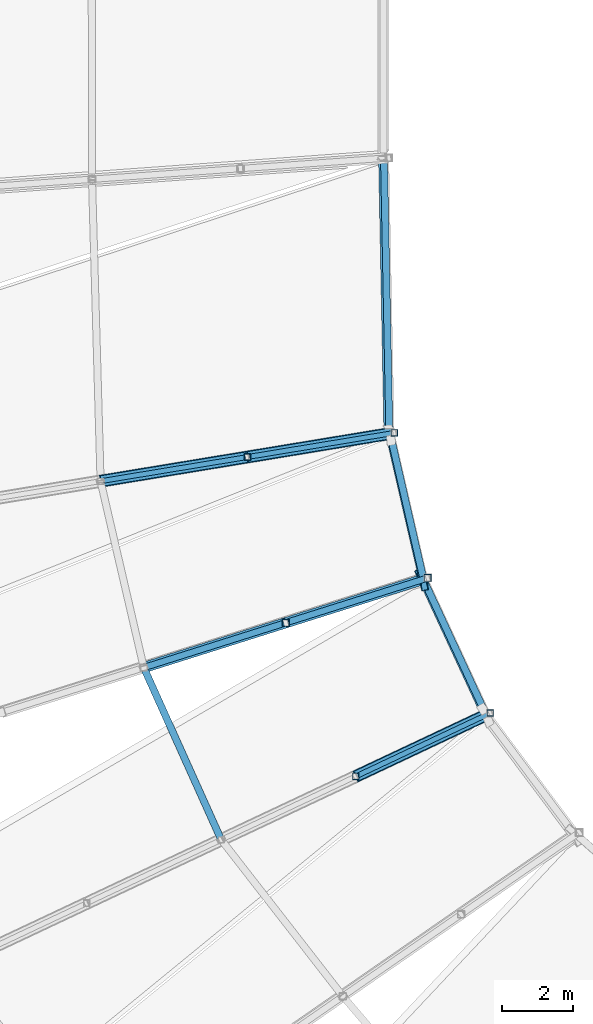
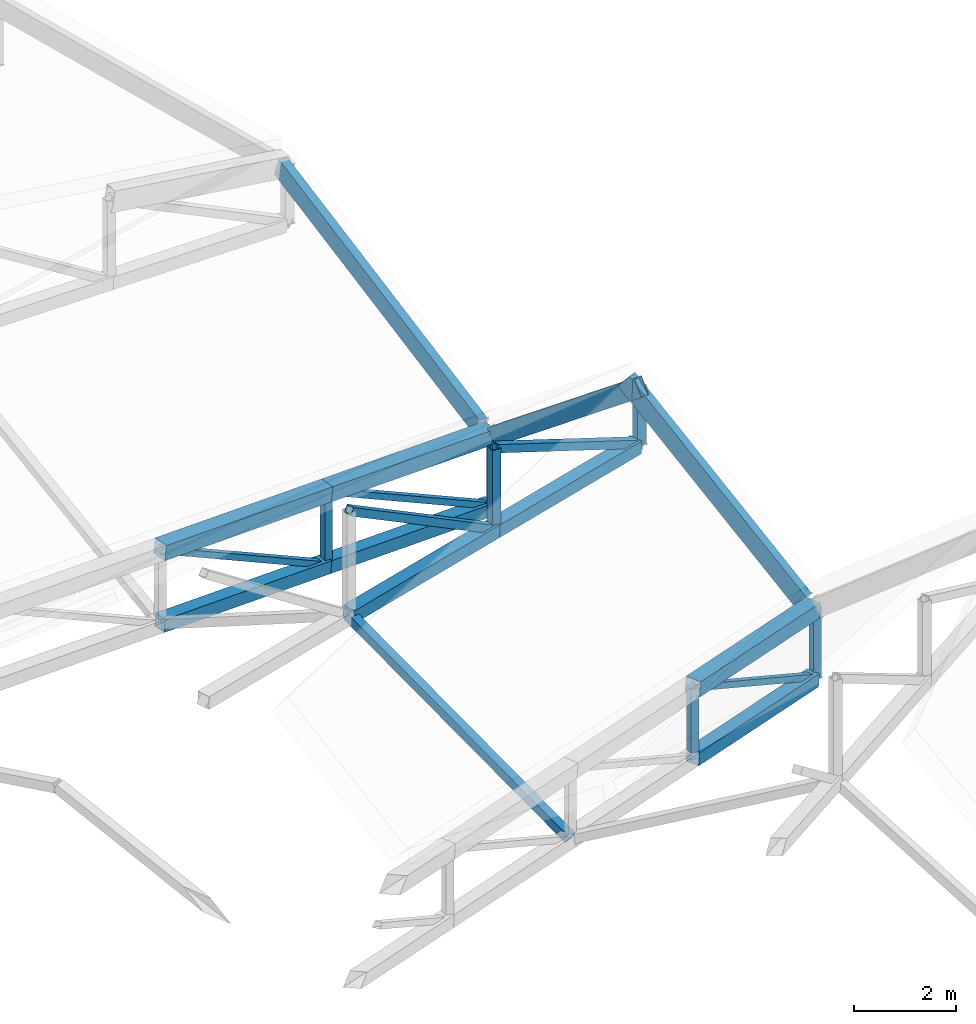
# One storey, part 23 of 344: 20 members, 3 beams.
"""IFC4 building model written with IfcOpenShell, lengths in metres."""

from ifc_helpers import new_model, si_unit, direction, frame, origin, origin_2d, place, context, subcontext, project, spatial, hollow_rectangle, extrude, material, material_profile, profile_set, type_object, element, save


model = new_model("IFC4")

# Units and contexts
model_context = context("Model", 3, precision=1e-05, world=origin(), true_north=direction((0.0, 1.0)))
body_context = subcontext(model_context, "Body", "Model", "MODEL_VIEW")
ifc_project = project(units=[si_unit("LENGTHUNIT", "METRE"), si_unit("AREAUNIT", "SQUARE_METRE"), si_unit("VOLUMEUNIT", "CUBIC_METRE"), si_unit("PLANEANGLEUNIT", "RADIAN"), si_unit("MASSUNIT", "GRAM", prefix="KILO")], contexts=[model_context])

# Site, building, storey
site_placement = place(None, origin())
site = spatial("IfcSite", under=ifc_project, at=site_placement, CompositionType="ELEMENT")
building_placement = place(site_placement, origin())
building = spatial("IfcBuilding", under=site, at=building_placement, Name="Meseta Stadium", CompositionType="ELEMENT")
storey_placement = place(building_placement, frame((0.0, 0.0, 24.0)))
storey = spatial("IfcBuildingStorey", under=building, at=storey_placement, Name="L04", CompositionType="ELEMENT", Elevation=24.0)

# Beams
ifc_material_1 = material(Name="Steel S355", Category="steel")
ifc_material_profile_1 = material_profile(ifc_material_1, hollow_rectangle(XDim=0.199951171875, YDim=0.39990234375, WallThickness=0.01611328125, at=origin_2d()), Name="RHS 400x200x16")
ifc_profile_set_1 = profile_set([ifc_material_profile_1], Name="Steel S355")
beam_type = type_object("IfcBeamType", Name="RHS 400x200x16 tip ring beam", PredefinedType="BEAM", material=ifc_profile_set_1)
beam_1_placement = place(storey_placement, frame((-47.14990234375, -39.860107421875, 6.160888671875), z_axis=(0.019147324398, -0.976043479067, -0.216731416594), x_axis=(0.989643734465, 0.049345951556, -0.134797091584)))
element("IfcBeam", 1, at=beam_1_placement, inside=storey, type_object=beam_type, Name="TIP RING BEAM 37", PredefinedType="BEAM", context=body_context, shape_type="SweptSolid", body=[
    extrude(hollow_rectangle(XDim=0.199951171875, YDim=0.39990234375, WallThickness=0.01611328125, at=origin_2d()), origin(), (0.0, 0.0, 1.0), 7.79052734375),
])
beam_2_placement = place(storey_placement, frame((-46.92138671875, -47.84619140625, 4.44873046875), z_axis=(0.175673366111, -0.764201722706, 0.620592132929), x_axis=(0.982265912363, 0.178022732159, -0.058835229624)))
element("IfcBeam", 2, at=beam_2_placement, inside=storey, type_object=beam_type, Name="TIP RING BEAM 38", PredefinedType="BEAM", context=body_context, shape_type="SweptSolid", body=[
    extrude(hollow_rectangle(XDim=0.199951171875, YDim=0.39990234375, WallThickness=0.01611328125, at=origin_2d()), origin(), (0.0, 0.0, 1.0), 5.406005859375),
])
beam_3_placement = place(storey_placement, frame((-46.106201171875, -51.61474609375, 7.81201171875), z_axis=(0.321336456985, -0.693539828832, -0.644783209487), x_axis=(0.878575786548, 0.472404347775, -0.07027602361)))
element("IfcBeam", 3, at=beam_3_placement, inside=storey, type_object=beam_type, Name="TIP RING BEAM 39", PredefinedType="BEAM", context=body_context, shape_type="SweptSolid", body=[
    extrude(hollow_rectangle(XDim=0.199951171875, YDim=0.39990234375, WallThickness=0.01611328125, at=origin_2d()), origin(), (0.0, 0.0, 1.0), 5.55322265625),
])

# Members
ifc_material_2 = material(Name="Steel S355", Category="steel")
ifc_material_profile_2 = material_profile(ifc_material_2, hollow_rectangle(XDim=0.139892578125, YDim=0.139892578125, WallThickness=0.0048828125, at=origin_2d()), Name="SHS 140x140x5")
ifc_profile_set_2 = profile_set([ifc_material_profile_2], Name="Steel S355")
member_type_1 = type_object("IfcMemberType", Name="SHS 140x140x5 diagonal", PredefinedType="BRACE", material=ifc_profile_set_2)
member_1_placement = place(storey_placement, frame((-46.829345703125, -47.633544921875, 2.634765625), z_axis=(-0.873418924065, -0.143667560495, 0.465294546655), x_axis=(0.162307632911, -0.986740205069, 0.0)))
element("IfcMember", 4, at=member_1_placement, inside=storey, type_object=member_type_1, Name="ROOF TRUSS RT-37 diagonal", PredefinedType="BRACE", context=body_context, shape_type="SweptSolid", body=[
    extrude(hollow_rectangle(XDim=0.139892578125, YDim=0.139892578125, WallThickness=0.0048828125, at=origin_2d()), origin(), (0.0, 0.0, 1.0), 4.77001953125),
])
member_2_placement = place(storey_placement, frame((-50.99560546875, -48.31884765625, 3.097412109375), z_axis=(-0.873398123495, -0.143664139036, 0.465334646283), x_axis=(0.162307632911, -0.986740205069, 0.0)))
element("IfcMember", 5, at=member_2_placement, inside=storey, type_object=member_type_1, Name="ROOF TRUSS RT-37 diagonal", PredefinedType="BRACE", context=body_context, shape_type="SweptSolid", body=[
    extrude(hollow_rectangle(XDim=0.139892578125, YDim=0.139892578125, WallThickness=0.0048828125, at=origin_2d()), origin(), (0.0, 0.0, 1.0), 4.770263671875),
])
member_3_placement = place(storey_placement, frame((-44.108154296875, -55.580810546875, 2.403564453125), z_axis=(-0.804671329976, -0.379086858084, 0.456943327715), x_axis=(0.426181724525, -0.904637572556, 0.0)))
element("IfcMember", 6, at=member_3_placement, inside=storey, type_object=member_type_1, Name="ROOF TRUSS RT-39 diagonal", PredefinedType="BRACE", context=body_context, shape_type="SweptSolid", body=[
    extrude(hollow_rectangle(XDim=0.139892578125, YDim=0.139892578125, WallThickness=0.0048828125, at=origin_2d()), origin(), (0.0, 0.0, 1.0), 4.7412109375),
])
ifc_material_3 = material(Name="Steel S355", Category="steel")
ifc_material_profile_3 = material_profile(ifc_material_3, hollow_rectangle(XDim=0.179931640625, YDim=0.179931640625, WallThickness=0.00634765625, at=origin_2d()), Name="SHS 180x180x6.3")
ifc_profile_set_3 = profile_set([ifc_material_profile_3], Name="Steel S355")
member_type_2 = type_object("IfcMemberType", Name="SHS 180x180x6.3 diagonal", PredefinedType="BRACE", material=ifc_profile_set_3)
member_4_placement = place(storey_placement, frame((-45.883544921875, -51.749267578125, 6.2939453125), z_axis=(-0.856158228989, -0.270330234573, 0.44035741303), x_axis=(0.301095390886, -0.953594025562, 0.0)))
element("IfcMember", 7, at=member_4_placement, inside=storey, type_object=member_type_2, Name="ROOF TRUSS RT-38 diagonal", PredefinedType="BRACE", context=body_context, shape_type="SweptSolid", body=[
    extrude(hollow_rectangle(XDim=0.179931640625, YDim=0.179931640625, WallThickness=0.00634765625, at=origin_2d()), origin(), (0.0, 0.0, 1.0), 4.70263671875),
])
member_5_placement = place(storey_placement, frame((-49.90966796875, -53.0205078125, 6.41650390625), z_axis=(-0.810363530362, -0.255904272746, 0.527090079444), x_axis=(0.301131367937, -0.953582665134, 0.0)))
element("IfcMember", 8, at=member_5_placement, inside=storey, type_object=member_type_2, Name="ROOF TRUSS RT-38 diagonal", PredefinedType="BRACE", context=body_context, shape_type="SweptSolid", body=[
    extrude(hollow_rectangle(XDim=0.179931640625, YDim=0.179931640625, WallThickness=0.00634765625, at=origin_2d()), origin(), (0.0, 0.0, 1.0), 4.968505859375),
])
ifc_material_4 = material(Name="Steel S355", Category="steel")
ifc_material_profile_4 = material_profile(ifc_material_4, hollow_rectangle(XDim=0.179931640625, YDim=0.179931640625, WallThickness=0.00634765625, at=origin_2d()), Name="SHS 180x180x6.3")
ifc_profile_set_4 = profile_set([ifc_material_profile_4], Name="Steel S355")
member_type_3 = type_object("IfcMemberType", Name="SHS 180x180x6.3 post", PredefinedType="POST", material=ifc_profile_set_4)
member_6_placement = place(storey_placement, frame((-50.99560546875, -48.31884765625, 3.097412109375), z_axis=(0.0, 0.0, 1.0), x_axis=(1.0, 0.0, 0.0)))
element("IfcMember", 9, at=member_6_placement, inside=storey, type_object=member_type_3, Name="ROOF TRUSS RT-37 post", PredefinedType="POST", context=body_context, shape_type="SweptSolid", body=[
    extrude(hollow_rectangle(XDim=0.179931640625, YDim=0.179931640625, WallThickness=0.00634765625, at=origin_2d()), origin(), (0.0, 0.0, 1.0), 1.7568359375),
])
member_7_placement = place(storey_placement, frame((-47.92333984375, -57.378173828125, 2.890380859375), z_axis=(0.0, 0.0, 1.0), x_axis=(1.0, 0.0, 0.0)))
element("IfcMember", 10, at=member_7_placement, inside=storey, type_object=member_type_3, Name="ROOF TRUSS RT-39 post", PredefinedType="POST", context=body_context, shape_type="SweptSolid", body=[
    extrude(hollow_rectangle(XDim=0.179931640625, YDim=0.179931640625, WallThickness=0.00634765625, at=origin_2d()), origin(), (0.0, 0.0, 1.0), 1.6796875),
])
ifc_material_5 = material(Name="Steel S355", Category="steel")
ifc_material_profile_5 = material_profile(ifc_material_5, hollow_rectangle(XDim=0.179931640625, YDim=0.179931640625, WallThickness=0.00634765625, at=origin_2d()), Name="SHS 180x180x6.3")
ifc_profile_set_5 = profile_set([ifc_material_profile_5], Name="Steel S355")
member_type_4 = type_object("IfcMemberType", Name="SHS 180x180x6.3 rim post", PredefinedType="POST", material=ifc_profile_set_5)
member_8_placement = place(storey_placement, frame((-46.829345703125, -47.633544921875, 2.634765625), z_axis=(0.0, 0.0, 1.0), x_axis=(1.0, 0.0, 0.0)))
element("IfcMember", 11, at=member_8_placement, inside=storey, type_object=member_type_4, Name="ROOF TRUSS RT-37 post", PredefinedType="POST", context=body_context, shape_type="SweptSolid", body=[
    extrude(hollow_rectangle(XDim=0.179931640625, YDim=0.179931640625, WallThickness=0.00634765625, at=origin_2d()), origin(), (0.0, 0.0, 1.0), 1.7568359375),
])
member_9_placement = place(storey_placement, frame((-44.108154296875, -55.580810546875, 2.403564453125), z_axis=(0.0, 0.0, 1.0), x_axis=(1.0, 0.0, 0.0)))
element("IfcMember", 12, at=member_9_placement, inside=storey, type_object=member_type_4, Name="ROOF TRUSS RT-39 post", PredefinedType="POST", context=body_context, shape_type="SweptSolid", body=[
    extrude(hollow_rectangle(XDim=0.179931640625, YDim=0.179931640625, WallThickness=0.00634765625, at=origin_2d()), origin(), (0.0, 0.0, 1.0), 1.679443359375),
])
ifc_material_6 = material(Name="Steel S355", Category="steel")
ifc_material_profile_6 = material_profile(ifc_material_6, hollow_rectangle(XDim=0.199951171875, YDim=0.199951171875, WallThickness=0.008056640625, at=origin_2d()), Name="SHS 200x200x8")
ifc_profile_set_6 = profile_set([ifc_material_profile_6], Name="Steel S355")
member_type_5 = type_object("IfcMemberType", Name="SHS 200x200x8 post", PredefinedType="POST", material=ifc_profile_set_6)
member_10_placement = place(storey_placement, frame((-49.90966796875, -53.0205078125, 6.41650390625), z_axis=(0.0, 0.0, 1.0), x_axis=(1.0, 0.0, 0.0)))
element("IfcMember", 13, at=member_10_placement, inside=storey, type_object=member_type_5, Name="ROOF TRUSS RT-38 post", PredefinedType="POST", context=body_context, shape_type="SweptSolid", body=[
    extrude(hollow_rectangle(XDim=0.199951171875, YDim=0.199951171875, WallThickness=0.008056640625, at=origin_2d()), origin(), (0.0, 0.0, 1.0), 1.9482421875),
])
ifc_material_7 = material(Name="Steel S355", Category="steel")
ifc_material_profile_7 = material_profile(ifc_material_7, hollow_rectangle(XDim=0.199951171875, YDim=0.199951171875, WallThickness=0.008056640625, at=origin_2d()), Name="SHS 200x200x8")
ifc_profile_set_7 = profile_set([ifc_material_profile_7], Name="Steel S355")
member_type_6 = type_object("IfcMemberType", Name="SHS 200x200x8 rim post", PredefinedType="POST", material=ifc_profile_set_7)
member_11_placement = place(storey_placement, frame((-45.883544921875, -51.749267578125, 6.2939453125), z_axis=(0.0, 0.0, 1.0), x_axis=(1.0, 0.0, 0.0)))
element("IfcMember", 14, at=member_11_placement, inside=storey, type_object=member_type_6, Name="ROOF TRUSS RT-38 post", PredefinedType="POST", context=body_context, shape_type="SweptSolid", body=[
    extrude(hollow_rectangle(XDim=0.199951171875, YDim=0.199951171875, WallThickness=0.008056640625, at=origin_2d()), origin(), (0.0, 0.0, 1.0), 1.39990234375),
])
ifc_material_8 = material(Name="Steel S355", Category="steel")
ifc_material_profile_8 = material_profile(ifc_material_8, hollow_rectangle(XDim=0.199951171875, YDim=0.199951171875, WallThickness=0.008056640625, at=origin_2d()), Name="SHS 200x200x8")
ifc_profile_set_8 = profile_set([ifc_material_profile_8], Name="Steel S355")
member_type_7 = type_object("IfcMemberType", Name="SHS 200x200x8 strut", PredefinedType="STRUT", material=ifc_profile_set_8)
member_12_placement = place(storey_placement, frame((-53.93603515625, -54.2919921875, 6.5390625), z_axis=(0.353367418202, -0.785252205185, -0.508439221545), x_axis=(0.911919799043, 0.410368468712, 0.0)))
element("IfcMember", 15, at=member_12_placement, inside=storey, type_object=member_type_7, Name="ROOF TRUSS STRUT RT-38/39", PredefinedType="STRUT", context=body_context, shape_type="SweptSolid", body=[
    extrude(hollow_rectangle(XDim=0.199951171875, YDim=0.199951171875, WallThickness=0.008056640625, at=origin_2d()), origin(), (0.0, 0.0, 1.0), 6.21875),
])
ifc_material_9 = material(Name="Steel S355", Category="steel")
ifc_material_profile_9 = material_profile(ifc_material_9, hollow_rectangle(XDim=0.300048828125, YDim=0.300048828125, WallThickness=0.010009765625, at=origin_2d()), Name="SHS 300x300x10")
ifc_profile_set_9 = profile_set([ifc_material_profile_9], Name="Steel S355")
member_type_8 = type_object("IfcMemberType", Name="SHS 300x300x10 bottom chord", PredefinedType="CHORD", material=ifc_profile_set_9)
member_13_placement = place(storey_placement, frame((-46.917724609375, -47.64794921875, 2.64453125), z_axis=(-0.980863125606, -0.161372919186, 0.108932592828), x_axis=(0.16233897591, -0.986735048988, 0.0)))
element("IfcMember", 16, at=member_13_placement, inside=storey, type_object=member_type_8, Name="ROOF TRUSS RT-37 bottom chord", PredefinedType="CHORD", context=body_context, shape_type="SweptSolid", body=[
    extrude(hollow_rectangle(XDim=0.300048828125, YDim=0.300048828125, WallThickness=0.010009765625, at=origin_2d()), origin(), (0.0, 0.0, 1.0), 4.157470703125),
])
member_14_placement = place(storey_placement, frame((-50.99560546875, -48.31884765625, 3.097412109375), z_axis=(-0.980863294148, -0.161340947358, 0.108978424008), x_axis=(0.162307632911, -0.986740205069, 0.0)))
element("IfcMember", 17, at=member_14_placement, inside=storey, type_object=member_type_8, Name="ROOF TRUSS RT-37 bottom chord", PredefinedType="CHORD", context=body_context, shape_type="SweptSolid", body=[
    extrude(hollow_rectangle(XDim=0.300048828125, YDim=0.300048828125, WallThickness=0.010009765625, at=origin_2d()), origin(), (0.0, 0.0, 1.0), 4.24755859375),
])
member_15_placement = place(storey_placement, frame((-45.978759765625, -51.779296875, 6.296875), z_axis=(-0.953190315352, -0.300976309748, 0.029008338272), x_axis=(0.301103023052, -0.953591615687, 0.0)))
element("IfcMember", 18, at=member_15_placement, inside=storey, type_object=member_type_8, Name="ROOF TRUSS RT-38 bottom chord", PredefinedType="CHORD", context=body_context, shape_type="SweptSolid", body=[
    extrude(hollow_rectangle(XDim=0.300048828125, YDim=0.300048828125, WallThickness=0.010009765625, at=origin_2d()), origin(), (0.0, 0.0, 1.0), 4.1240234375),
])
member_16_placement = place(storey_placement, frame((-49.90966796875, -53.0205078125, 6.41650390625), z_axis=(-0.95318121509, -0.301004594239, 0.0290138837), x_axis=(0.301131367937, -0.953582665134, 0.0)))
element("IfcMember", 19, at=member_16_placement, inside=storey, type_object=member_type_8, Name="ROOF TRUSS RT-38 bottom chord", PredefinedType="CHORD", context=body_context, shape_type="SweptSolid", body=[
    extrude(hollow_rectangle(XDim=0.300048828125, YDim=0.300048828125, WallThickness=0.010009765625, at=origin_2d()), origin(), (0.0, 0.0, 1.0), 4.22412109375),
])
member_17_placement = place(storey_placement, frame((-44.18896484375, -55.619140625, 2.413818359375), z_axis=(-0.898692597169, -0.423318525275, 0.114686712191), x_axis=(0.42613025615, -0.904661817915, 0.0)))
element("IfcMember", 20, at=member_17_placement, inside=storey, type_object=member_type_8, Name="ROOF TRUSS RT-39 bottom chord", PredefinedType="CHORD", context=body_context, shape_type="SweptSolid", body=[
    extrude(hollow_rectangle(XDim=0.300048828125, YDim=0.300048828125, WallThickness=0.010009765625, at=origin_2d()), origin(), (0.0, 0.0, 1.0), 4.1552734375),
])
ifc_material_10 = material(Name="Steel S355", Category="steel")
ifc_material_profile_10 = material_profile(ifc_material_10, hollow_rectangle(XDim=0.35009765625, YDim=0.35009765625, WallThickness=0.010009765625, at=origin_2d()), Name="SHS 350x350x10")
ifc_profile_set_10 = profile_set([ifc_material_profile_10], Name="Steel S355")
member_type_9 = type_object("IfcMemberType", Name="SHS 350x350x10 top chord", PredefinedType="CHORD", material=ifc_profile_set_10)
member_18_placement = place(storey_placement, frame((-46.917724609375, -47.64794921875, 4.4013671875), z_axis=(-0.980863125606, -0.161372919186, 0.108932592828), x_axis=(0.16233897591, -0.986735048988, 0.0)))
element("IfcMember", 21, at=member_18_placement, inside=storey, type_object=member_type_9, Name="ROOF TRUSS RT-37 top chord", PredefinedType="CHORD", context=body_context, shape_type="SweptSolid", body=[
    extrude(hollow_rectangle(XDim=0.35009765625, YDim=0.35009765625, WallThickness=0.010009765625, at=origin_2d()), origin(), (0.0, 0.0, 1.0), 4.157470703125),
])
member_19_placement = place(storey_placement, frame((-50.99560546875, -48.31884765625, 4.854248046875), z_axis=(-0.980863294148, -0.161340947358, 0.108978424008), x_axis=(0.162307632911, -0.986740205069, 0.0)))
element("IfcMember", 22, at=member_19_placement, inside=storey, type_object=member_type_9, Name="ROOF TRUSS RT-37 top chord", PredefinedType="CHORD", context=body_context, shape_type="SweptSolid", body=[
    extrude(hollow_rectangle(XDim=0.35009765625, YDim=0.35009765625, WallThickness=0.010009765625, at=origin_2d()), origin(), (0.0, 0.0, 1.0), 4.24755859375),
])
member_20_placement = place(storey_placement, frame((-44.18896484375, -55.619140625, 4.093505859375), z_axis=(-0.898692597169, -0.423318525275, 0.114686712191), x_axis=(0.42613025615, -0.904661817915, 0.0)))
element("IfcMember", 23, at=member_20_placement, inside=storey, type_object=member_type_9, Name="ROOF TRUSS RT-39 top chord", PredefinedType="CHORD", context=body_context, shape_type="SweptSolid", body=[
    extrude(hollow_rectangle(XDim=0.35009765625, YDim=0.35009765625, WallThickness=0.010009765625, at=origin_2d()), origin(), (0.0, 0.0, 1.0), 4.1552734375),
])

save(model, "model.ifc")
